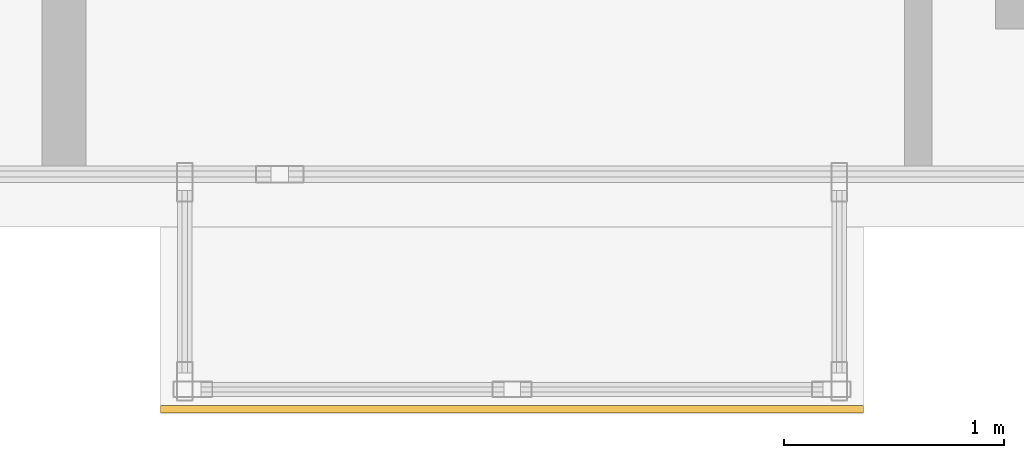
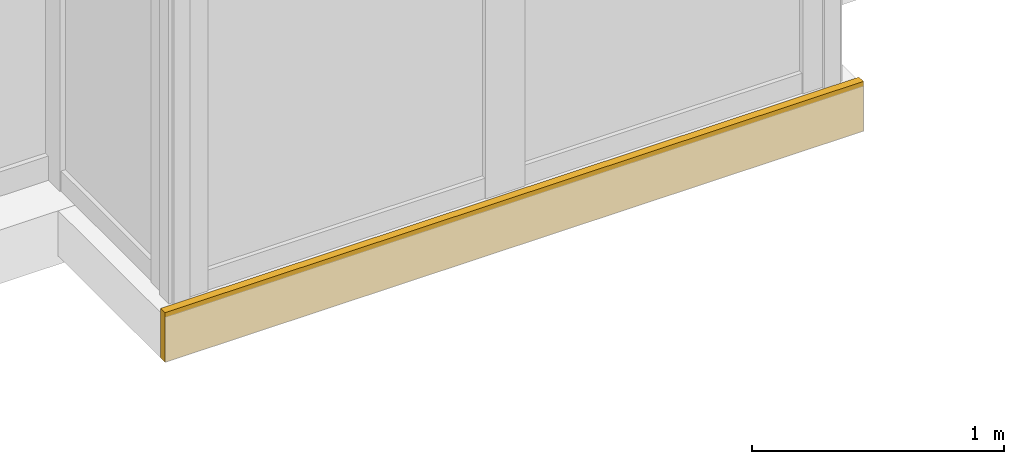
# One storey, part 28 of 29: 1 covering.
"""IFC4 building model written with IfcOpenShell, lengths in metres."""

from ifc_helpers import new_model, si_unit, direction, frame, origin, origin_2d, place, context, subcontext, project, spatial, rectangle, extrude, material, layer, layer_set, type_object, element, save


model = new_model("IFC4")

# Units and contexts
model_context = context("Model", 3, precision=1e-05, world=origin(), true_north=direction((0.0, 1.0)))
body_context = subcontext(model_context, "Body", "Model", "MODEL_VIEW")
ifc_project = project(units=[si_unit("LENGTHUNIT", "METRE"), si_unit("AREAUNIT", "SQUARE_METRE"), si_unit("VOLUMEUNIT", "CUBIC_METRE"), si_unit("PLANEANGLEUNIT", "RADIAN"), si_unit("MASSUNIT", "GRAM", prefix="KILO")], contexts=[model_context])

# Site, building, storey
site_placement = place(None, origin())
site = spatial("IfcSite", under=ifc_project, at=site_placement, CompositionType="ELEMENT")
building_placement = place(site_placement, origin())
building = spatial("IfcBuilding", under=site, at=building_placement, Name="Kolvaren Waterfront Exchange", CompositionType="ELEMENT")
storey_placement = place(building_placement, frame((0.0, 0.0, 129.699951171875)))
storey = spatial("IfcBuildingStorey", under=building, at=storey_placement, Name="L33", CompositionType="ELEMENT", Elevation=129.699951171875)

# Covering
ifc_material = material(Name="Anodised bronze fascia aluminium", Category="aluminium")
ifc_layer = layer(ifc_material, 0.034912109375, Name="Anodised bronze fascia aluminium")
ifc_layer_set = layer_set([ifc_layer], Name="Anodised bronze fascia aluminium")
covering_type = type_object("IfcCoveringType", Name="ARC-CLAD-BRONZE-35", PredefinedType="CLADDING", material=ifc_layer_set)
covering_placement = place(storey_placement, frame((33.89990234375, 2.77001953125, -0.2197265625), z_axis=(0.0, 0.0, 1.0), x_axis=(1.0, 0.0, 0.0)))
element("IfcCovering", 1, at=covering_placement, inside=storey, type_object=covering_type, Name="L33 ribbed anodised bronze bay-box fascia", PredefinedType="CLADDING", context=body_context, shape_type="SweptSolid", body=[
    extrude(rectangle(XDim=3.199951171875, YDim=0.034912109375, at=origin_2d()), origin(), (0.0, 0.0, 1.0), 0.239990234375),
])

save(model, "model.ifc")
